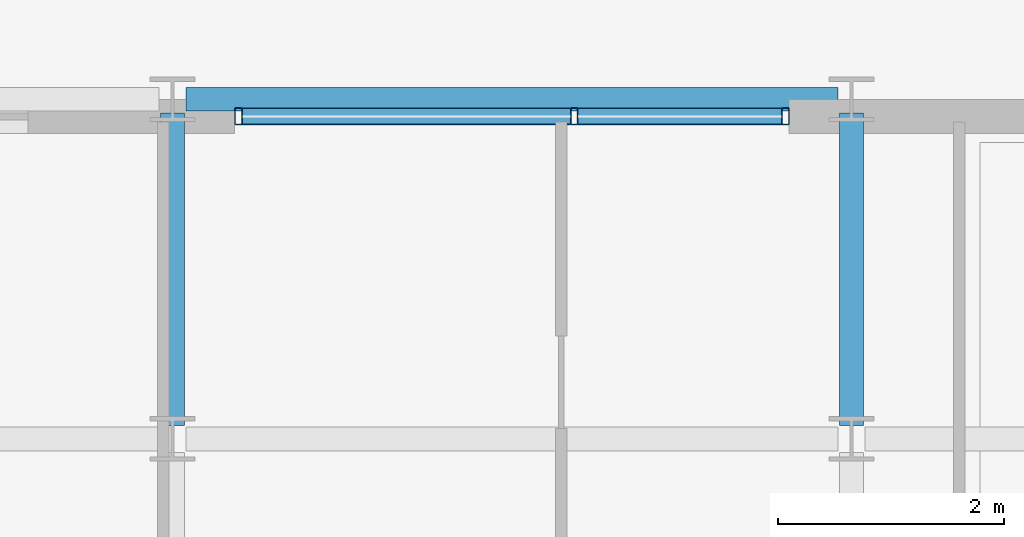
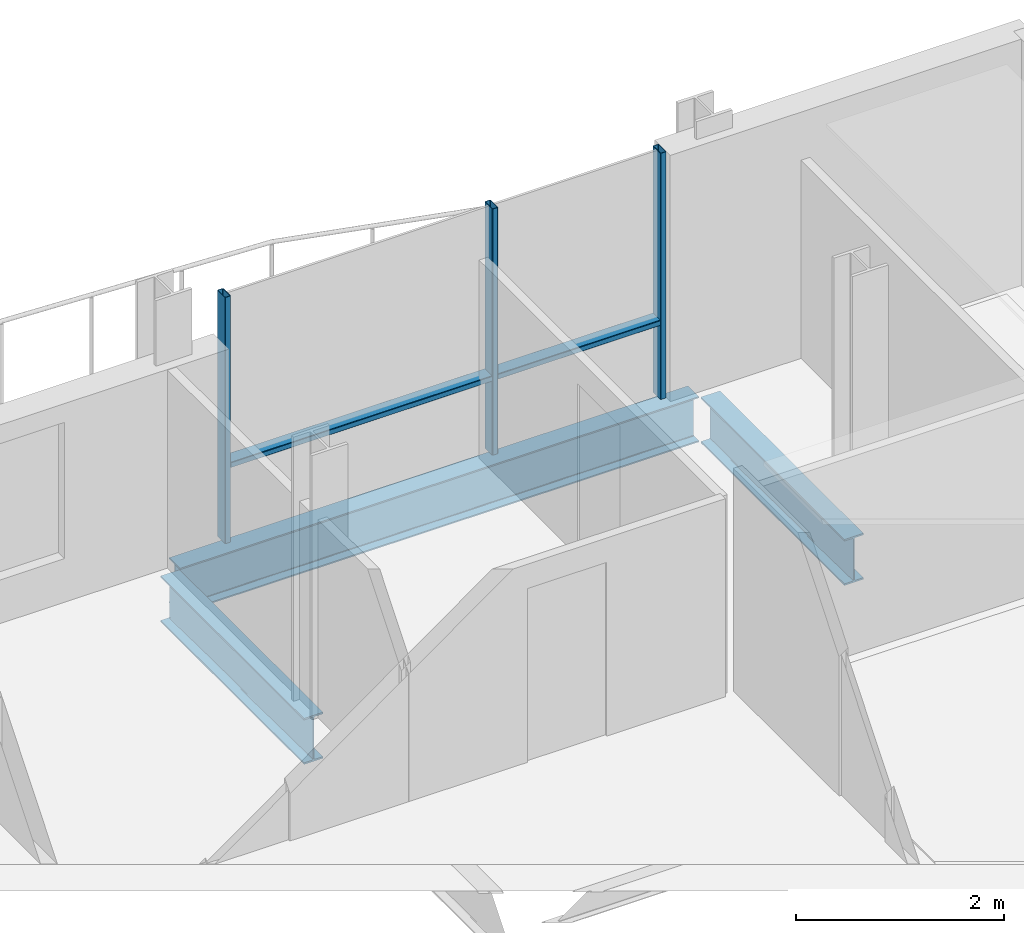
# One storey, part 23 of 38: 5 members, 3 beams, 1 element without a shape of its own.
"""IFC4 building model written with IfcOpenShell, lengths in metres."""

from ifc_helpers import new_model, si_unit, direction, frame, origin, origin_2d, place, context, subcontext, project, spatial, hollow_rectangle, i_section, extrude, material, layer, layer_set, material_profile, profile_set, type_object, element, aggregate, save


model = new_model("IFC4")

# Units and contexts
model_context = context("Model", 3, precision=1e-05, world=origin(), true_north=direction((0.0, 1.0)))
body_context = subcontext(model_context, "Body", "Model", "MODEL_VIEW")
ifc_project = project(units=[si_unit("LENGTHUNIT", "METRE"), si_unit("AREAUNIT", "SQUARE_METRE"), si_unit("VOLUMEUNIT", "CUBIC_METRE"), si_unit("PLANEANGLEUNIT", "RADIAN"), si_unit("MASSUNIT", "GRAM", prefix="KILO")], contexts=[model_context])

# Site, building, storey
site_placement = place(None, origin())
site = spatial("IfcSite", under=ifc_project, at=site_placement, CompositionType="ELEMENT")
building_placement = place(site_placement, origin())
building = spatial("IfcBuilding", under=site, at=building_placement, Name="Brevholm Reach", CompositionType="ELEMENT")
storey_placement = place(building_placement, frame((0.0, 0.0, 186.300048828125)))
storey = spatial("IfcBuildingStorey", under=building, at=storey_placement, Name="L56", CompositionType="ELEMENT", Elevation=186.300048828125)

# Beams
ifc_material_1 = material(Name="Structural Steel S355J2", Category="steel")
ifc_material_profile_1 = material_profile(ifc_material_1, i_section(OverallWidth=0.209228515625, OverallDepth=0.533203125, WebThickness=0.010009765625, FlangeThickness=0.015625, FilletRadius=0.0126953125, at=origin_2d()), Name="UKB 533x210x92")
ifc_profile_set_1 = profile_set([ifc_material_profile_1], Name="Structural Steel S355J2")
beam_type_1 = type_object("IfcBeamType", Name="BM-SP533", PredefinedType="SPANDREL", material=ifc_profile_set_1)
beam_placement = place(storey_placement, frame((48.1201171875, 26.5, -0.4765625), z_axis=(1.0, 0.0, 0.0), x_axis=(0.0, 1.0, 0.0)))
element("IfcBeam", 1, at=beam_placement, inside=storey, type_object=beam_type_1, Name="L56 SP-02 Framing Beam", PredefinedType="SPANDREL", context=body_context, shape_type="SweptSolid", body=[
    extrude(i_section(OverallWidth=0.209228515625, OverallDepth=0.533203125, WebThickness=0.010009765625, FlangeThickness=0.015625, FilletRadius=0.0126953125, at=origin_2d()), origin(), (0.0, 0.0, 1.0), 5.759765625),
])
ifc_material_2 = material(Name="Structural Steel S355J2", Category="steel")
ifc_material_profile_2 = material_profile(ifc_material_2, i_section(OverallWidth=0.210693359375, OverallDepth=0.53955078125, WebThickness=0.01171875, FlangeThickness=0.018798828125, FilletRadius=0.0126953125, at=origin_2d()), Name="UKB 533x210x109")
ifc_profile_set_2 = profile_set([ifc_material_profile_2], Name="Structural Steel S355J2")
beam_type_2 = type_object("IfcBeamType", Name="BM-SP539", PredefinedType="SPANDREL", material=ifc_profile_set_2)
for number, where, z_axis, x_axis, name in (
    (2, (48.0, 23.6201171875, -0.479736328125), (0.0, 1.0, 0.0), (-1.0, 0.0, 0.0), "L56 SP-01B Framing Beam"),
    (3, (54.0, 23.6201171875, -0.479736328125), (0.0, 1.0, 0.0), (-1.0, 0.0, 0.0), "L56 SP-01B Framing Beam"),
):
    element("IfcBeam", number, at=place(storey_placement, frame(where, z_axis=z_axis, x_axis=x_axis)), inside=storey, type_object=beam_type_2, Name=name, PredefinedType="SPANDREL", context=body_context, shape_type="SweptSolid", body=[
        extrude(i_section(OverallWidth=0.210693359375, OverallDepth=0.53955078125, WebThickness=0.01171875, FlangeThickness=0.018798828125, FilletRadius=0.0126953125, at=origin_2d()), origin(), (0.0, 0.0, 1.0), 2.759765625),
    ])

# Curtain wall, members
ifc_material_3 = material(Name="Dark Anodised Aluminium 6063-T6 and Solar-Control Glass", Category="aluminium")
ifc_layer = layer(ifc_material_3, 0.14990234375)
ifc_layer_set = layer_set([ifc_layer], Name="Dark Anodised Aluminium 6063-T6 and Solar-Control Glass")
curtain_wall_type = type_object("IfcCurtainWallType", Name="CW-01", PredefinedType="NOTDEFINED", material=ifc_layer_set)
curtain_wall_placement = place(storey_placement, origin())
curtain_wall = element("IfcCurtainWall", 4, at=curtain_wall_placement, inside=storey, type_object=curtain_wall_type, Name="L56 Curtain Wall CW-01", PredefinedType="NOTDEFINED")
ifc_material_4 = material(Name="Dark Anodised Aluminium 6063-T6", Category="aluminium")
ifc_material_profile_3 = material_profile(ifc_material_4, hollow_rectangle(XDim=0.06494140625, YDim=0.14990234375, WallThickness=0.0048828125, InnerFilletRadius=0.0048828125, OuterFilletRadius=0.010009765625, at=origin_2d()), Name="RHS 150x65x5")
ifc_profile_set_3 = profile_set([ifc_material_profile_3], Name="Dark Anodised Aluminium 6063-T6")
member_type_1 = type_object("IfcMemberType", Name="CWM-150", PredefinedType="MULLION", material=ifc_profile_set_3)
member_1_placement = place(storey_placement, frame((48.58251953125, 26.35009765625, 0.0), z_axis=(0.0, 0.0, 1.0), x_axis=(1.0, 0.0, 0.0)))
member_1 = element("IfcMember", 5, at=member_1_placement, type_object=member_type_1, Name="CM-150 Mullion 1", PredefinedType="MULLION", context=body_context, shape_type="SweptSolid", body=[
    extrude(hollow_rectangle(XDim=0.06494140625, YDim=0.14990234375, WallThickness=0.0048828125, InnerFilletRadius=0.0048828125, OuterFilletRadius=0.010009765625, at=origin_2d()), origin(), (0.0, 0.0, 1.0), 2.889892578125),
])
member_2_placement = place(storey_placement, frame((51.550048828125, 26.35009765625, 0.0), z_axis=(0.0, 0.0, 1.0), x_axis=(1.0, 0.0, 0.0)))
member_2 = element("IfcMember", 6, at=member_2_placement, type_object=member_type_1, Name="CM-150 Mullion 2", PredefinedType="MULLION", context=body_context, shape_type="SweptSolid", body=[
    extrude(hollow_rectangle(XDim=0.06494140625, YDim=0.14990234375, WallThickness=0.0048828125, InnerFilletRadius=0.0048828125, OuterFilletRadius=0.010009765625, at=origin_2d()), origin(), (0.0, 0.0, 1.0), 2.889892578125),
])
member_3_placement = place(storey_placement, frame((53.41748046875, 26.35009765625, 0.0), z_axis=(0.0, 0.0, 1.0), x_axis=(1.0, 0.0, 0.0)))
member_3 = element("IfcMember", 7, at=member_3_placement, type_object=member_type_1, Name="CM-150 Mullion 3", PredefinedType="MULLION", context=body_context, shape_type="SweptSolid", body=[
    extrude(hollow_rectangle(XDim=0.06494140625, YDim=0.14990234375, WallThickness=0.0048828125, InnerFilletRadius=0.0048828125, OuterFilletRadius=0.010009765625, at=origin_2d()), origin(), (0.0, 0.0, 1.0), 2.889892578125),
])
ifc_material_5 = material(Name="Dark Anodised Aluminium 6063-T6", Category="aluminium")
ifc_material_profile_4 = material_profile(ifc_material_5, hollow_rectangle(XDim=0.06494140625, YDim=0.14990234375, WallThickness=0.0048828125, InnerFilletRadius=0.0048828125, OuterFilletRadius=0.010009765625, at=origin_2d()), Name="RHS 150x65x5")
ifc_profile_set_4 = profile_set([ifc_material_profile_4], Name="Dark Anodised Aluminium 6063-T6")
member_type_2 = type_object("IfcMemberType", Name="CWT-150", PredefinedType="NOTDEFINED", material=ifc_profile_set_4)
member_4_placement = place(storey_placement, frame((48.614990234375, 26.35009765625, 0.89990234375), z_axis=(1.0, 0.0, 0.0), x_axis=(0.0, 0.0, 1.0)))
member_4 = element("IfcMember", 8, at=member_4_placement, type_object=member_type_2, Name="CT-150 Transom 1.1", ObjectType="TRANSOM", PredefinedType="USERDEFINED", context=body_context, shape_type="SweptSolid", body=[
    extrude(hollow_rectangle(XDim=0.06494140625, YDim=0.14990234375, WallThickness=0.0048828125, InnerFilletRadius=0.0048828125, OuterFilletRadius=0.010009765625, at=origin_2d()), origin(), (0.0, 0.0, 1.0), 2.902587890625),
])
member_5_placement = place(storey_placement, frame((51.58251953125, 26.35009765625, 0.89990234375), z_axis=(1.0, 0.0, 0.0), x_axis=(0.0, 0.0, 1.0)))
member_5 = element("IfcMember", 9, at=member_5_placement, type_object=member_type_2, Name="CT-150 Transom 2.1", ObjectType="TRANSOM", PredefinedType="USERDEFINED", context=body_context, shape_type="SweptSolid", body=[
    extrude(hollow_rectangle(XDim=0.06494140625, YDim=0.14990234375, WallThickness=0.0048828125, InnerFilletRadius=0.0048828125, OuterFilletRadius=0.010009765625, at=origin_2d()), origin(), (0.0, 0.0, 1.0), 1.802490234375),
])
aggregate(curtain_wall, [member_1, member_2, member_3, member_4, member_5])

save(model, "model.ifc")
